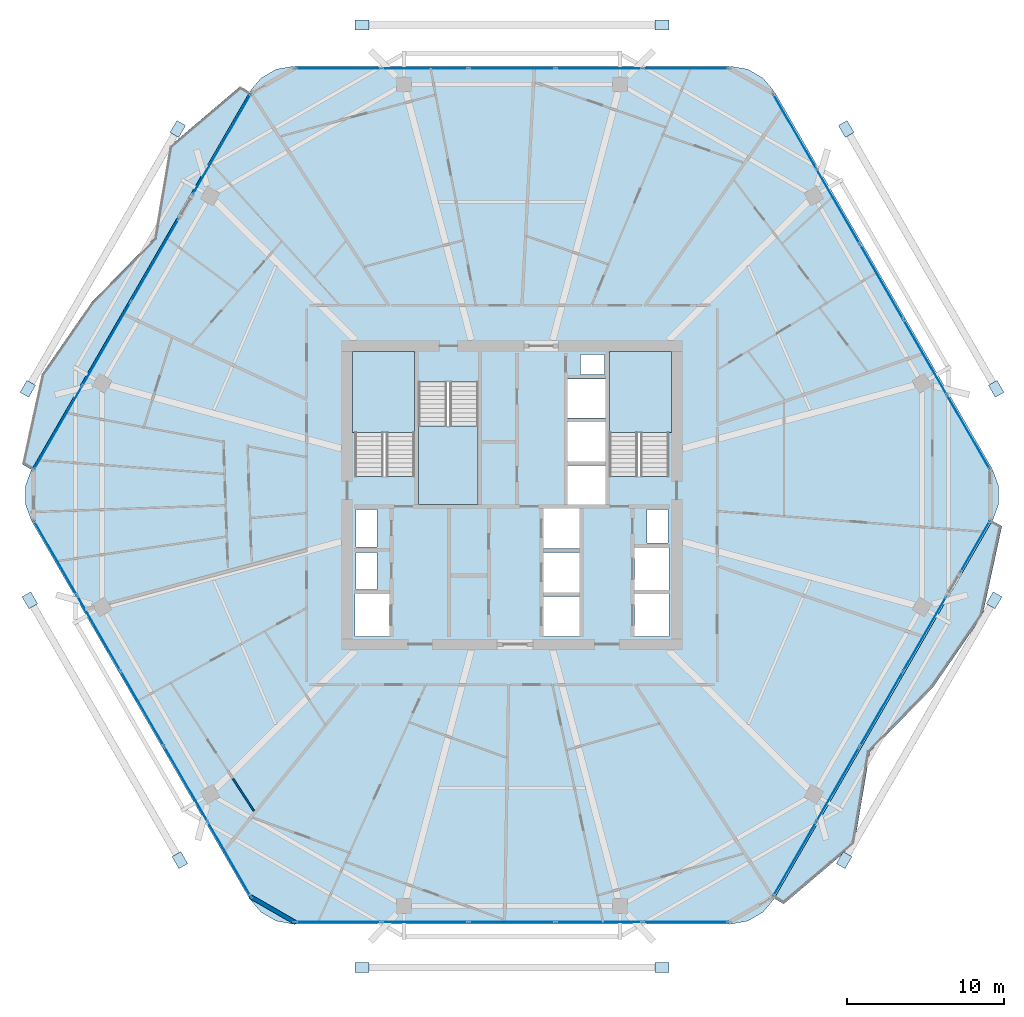
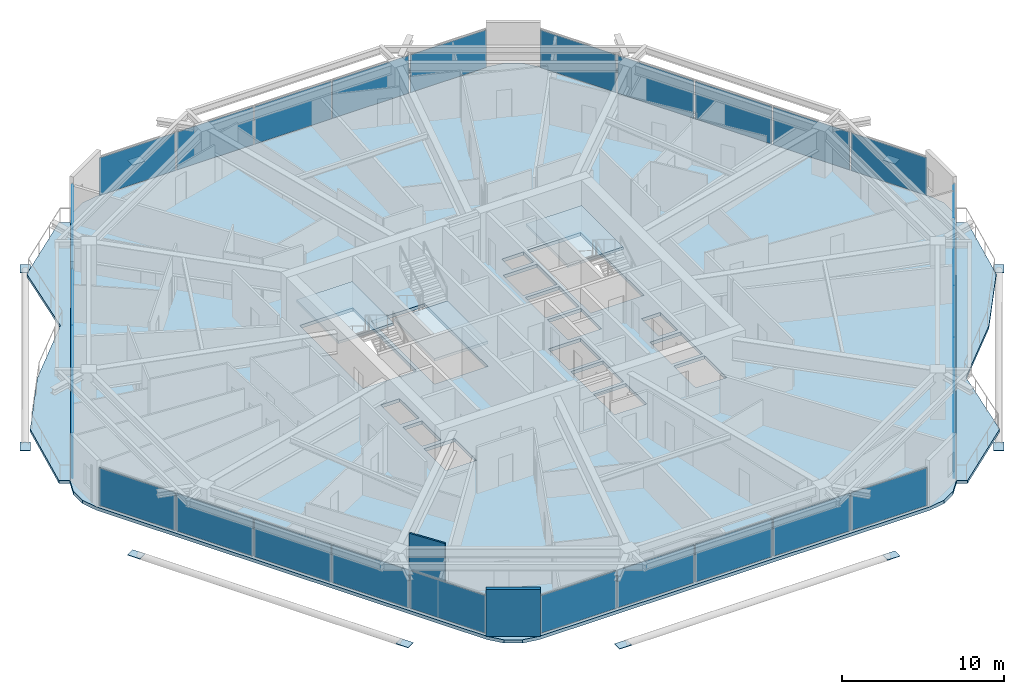
# One storey, part 19 of 28: 41 plates, 6 slabs, 2 walls, 11 elements without a shape of their own.
"""IFC4 building model written with IfcOpenShell, lengths in metres."""

from ifc_helpers import new_model, si_unit, direction, frame, frame_2d, origin, origin_2d, place, context, subcontext, project, spatial, polyline, rectangle, outline, extrude, material, layer, layer_set, type_object, element, aggregate, save


model = new_model("IFC4")

# Units and contexts
model_context = context("Model", 3, precision=1e-05, world=origin(), true_north=direction((0.0, 1.0)))
body_context = subcontext(model_context, "Body", "Model", "MODEL_VIEW")
ifc_project = project(units=[si_unit("LENGTHUNIT", "METRE"), si_unit("AREAUNIT", "SQUARE_METRE"), si_unit("VOLUMEUNIT", "CUBIC_METRE"), si_unit("PLANEANGLEUNIT", "RADIAN"), si_unit("MASSUNIT", "GRAM", prefix="KILO")], contexts=[model_context])

# Site, building, storey
site_placement = place(None, origin())
site = spatial("IfcSite", under=ifc_project, at=site_placement, CompositionType="ELEMENT")
building_placement = place(site_placement, origin())
building = spatial("IfcBuilding", under=site, at=building_placement, Name="Zuhravey Tower", CompositionType="ELEMENT")
storey_placement = place(building_placement, frame((0.0, 0.0, 222.60009765625)))
storey = spatial("IfcBuildingStorey", under=building, at=storey_placement, Name="L56", CompositionType="ELEMENT", Elevation=222.60009765625)

# Plates
ifc_material_1 = material(Name="Steel SM460", Category="steel")
ifc_layer_1 = layer(ifc_material_1, 0.035888671875)
ifc_layer_set_1 = layer_set([ifc_layer_1], Name="Steel SM460")
plate_type_1 = type_object("IfcPlateType", Name="Exoskeleton Zone 2 Node Plate ND2", PredefinedType="SHEET", material=ifc_layer_set_1)
for number, where, z_axis, x_axis, name in (
    (1, (66.8388671875, 38.771728515625, -0.48193359375), (0.0, 0.0, 1.0), (-0.5, 0.866025403784, 0.0), "L56 Exoskeleton Node Gusset L56-01"),
    (2, (57.283935546875, 55.3212890625, -0.48193359375), (0.0, 0.0, 1.0), (-0.5, 0.866025403784, 0.0), "L56 Exoskeleton Node Gusset L56-02"),
    (3, (45.554931640625, 61.943115234375, -0.48193359375), (0.0, 0.0, 1.0), (-1.0, 0.0, 0.0), "L56 Exoskeleton Node Gusset L56-03"),
    (4, (26.445068359375, 61.943115234375, -0.48193359375), (0.0, 0.0, 1.0), (-1.0, 0.0, 0.0), "L56 Exoskeleton Node Gusset L56-04"),
    (5, (14.716064453125, 55.3212890625, -0.48193359375), (0.0, 0.0, 1.0), (-0.5, -0.866025403784, 0.0), "L56 Exoskeleton Node Gusset L56-05"),
    (6, (5.1611328125, 38.771728515625, -0.48193359375), (0.0, 0.0, 1.0), (-0.5, -0.866025403784, 0.0), "L56 Exoskeleton Node Gusset L56-06"),
    (7, (5.291015625, 25.30322265625, -0.48193359375), (0.0, 0.0, 1.0), (0.5, -0.866025403784, 0.0), "L56 Exoskeleton Node Gusset L56-07"),
    (8, (14.845947265625, 8.753662109375, -0.48193359375), (0.0, 0.0, 1.0), (0.5, -0.866025403784, 0.0), "L56 Exoskeleton Node Gusset L56-08"),
    (9, (26.445068359375, 1.906982421875, -0.48193359375), (0.0, 0.0, 1.0), (1.0, 0.0, 0.0), "L56 Exoskeleton Node Gusset L56-09"),
    (10, (45.554931640625, 1.906982421875, -0.48193359375), (0.0, 0.0, 1.0), (1.0, 0.0, 0.0), "L56 Exoskeleton Node Gusset L56-10"),
    (11, (57.154052734375, 8.753662109375, -0.48193359375), (0.0, 0.0, 1.0), (0.5, 0.866025403784, 0.0), "L56 Exoskeleton Node Gusset L56-11"),
    (12, (66.708984375, 25.30322265625, -0.48193359375), (0.0, 0.0, 1.0), (0.5, 0.866025403784, 0.0), "L56 Exoskeleton Node Gusset L56-12"),
):
    element("IfcPlate", number, at=place(storey_placement, frame(where, z_axis=z_axis, x_axis=x_axis)), inside=storey, type_object=plate_type_1, Name=name, PredefinedType="SHEET", context=body_context, shape_type="SweptSolid", body=[
        extrude(rectangle(XDim=0.8798828125, YDim=0.639892578125, at=origin_2d()), origin(), (0.0, 0.0, 1.0), 0.035888671875),
    ])

# Slabs
ifc_material_2 = material(Name="Concrete C50/60", Category="concrete")
ifc_layer_2 = layer(ifc_material_2, 0.25)
ifc_layer_set_2 = layer_set([ifc_layer_2], Name="Concrete C50/60")
slab_type_1 = type_object("IfcSlabType", Name="Residential Acoustic Slab 250", PredefinedType="FLOOR", material=ifc_layer_set_2)
slab_1_placement = place(storey_placement, frame((0.0, 0.0, -0.25)))
element("IfcSlab", 13, at=slab_1_placement, inside=storey, type_object=slab_type_1, Name="L56 Floor Slab FS25", PredefinedType="FLOOR", context=body_context, shape_type="SweptSolid", body=[
    extrude(outline(polyline([(66.61181640625, 30.375), (66.997802734375, 31.435546875), (66.997802734375, 32.564453125), (66.61181640625, 33.625), (52.713134765625, 57.697998046875), (51.98779296875, 58.562744140625), (51.01025390625, 59.127197265625), (49.898681640625, 59.322998046875), (22.101318359375, 59.322998046875), (20.98974609375, 59.127197265625), (20.01220703125, 58.562744140625), (19.286865234375, 57.697998046875), (5.38818359375, 33.625), (5.002197265625, 32.564453125), (5.002197265625, 31.435546875), (5.38818359375, 30.375), (19.286865234375, 6.302001953125), (20.01220703125, 5.437255859375), (20.98974609375, 4.872802734375), (22.101318359375, 4.677001953125), (49.898681640625, 4.677001953125), (51.01025390625, 4.872802734375), (51.98779296875, 5.437255859375), (52.713134765625, 6.302001953125), (66.61181640625, 30.375)]), holes=[polyline([(29.800048828125, 33.20068359375), (29.800048828125, 41.0), (26.0, 41.0), (26.0, 33.20068359375), (29.800048828125, 33.20068359375)]), polyline([(46.0, 33.20068359375), (46.0, 41.0), (42.199951171875, 41.0), (42.199951171875, 33.20068359375), (46.0, 33.20068359375)]), polyline([(30.050048828125, 39.199462890625), (30.050048828125, 31.39990234375), (33.85009765625, 31.39990234375), (33.85009765625, 39.199462890625), (30.050048828125, 39.199462890625)]), polyline([(38.0, 23.0), (40.300048828125, 23.0), (40.300048828125, 25.550048828125), (38.0, 25.550048828125), (38.0, 23.0)]), polyline([(38.0, 25.800048828125), (40.300048828125, 25.800048828125), (40.300048828125, 28.35009765625), (38.0, 28.35009765625), (38.0, 25.800048828125)]), polyline([(38.0, 28.60009765625), (40.300048828125, 28.60009765625), (40.300048828125, 31.14990234375), (38.0, 31.14990234375), (38.0, 28.60009765625)]), polyline([(39.550048828125, 31.39990234375), (41.949951171875, 31.39990234375), (41.949951171875, 33.89990234375), (39.550048828125, 33.89990234375), (39.550048828125, 31.39990234375)]), polyline([(39.550048828125, 34.14990234375), (41.949951171875, 34.14990234375), (41.949951171875, 36.64990234375), (39.550048828125, 36.64990234375), (39.550048828125, 34.14990234375)]), polyline([(39.550048828125, 36.89990234375), (41.949951171875, 36.89990234375), (41.949951171875, 39.39990234375), (39.550048828125, 39.39990234375), (39.550048828125, 36.89990234375)]), polyline([(26.0, 23.0), (28.199951171875, 23.0), (28.199951171875, 25.699951171875), (26.0, 25.699951171875), (26.0, 23.0)]), polyline([(43.800048828125, 23.0), (46.0, 23.0), (46.0, 25.699951171875), (43.800048828125, 25.699951171875), (43.800048828125, 23.0)]), polyline([(43.800048828125, 25.949951171875), (46.0, 25.949951171875), (46.0, 28.64990234375), (43.800048828125, 28.64990234375), (43.800048828125, 25.949951171875)]), polyline([(26.050048828125, 26.0), (27.39990234375, 26.0), (27.39990234375, 28.35009765625), (26.050048828125, 28.35009765625), (26.050048828125, 26.0)]), polyline([(26.050048828125, 28.699951171875), (27.39990234375, 28.699951171875), (27.39990234375, 31.10009765625), (26.050048828125, 31.10009765625), (26.050048828125, 28.699951171875)]), polyline([(44.60009765625, 28.949951171875), (45.949951171875, 28.949951171875), (45.949951171875, 31.10009765625), (44.60009765625, 31.10009765625), (44.60009765625, 28.949951171875)]), polyline([(40.35009765625, 39.699951171875), (41.89990234375, 39.699951171875), (41.89990234375, 40.949951171875), (40.35009765625, 40.949951171875), (40.35009765625, 39.699951171875)])]), origin(), (0.0, 0.0, 1.0), 0.25),
])
ifc_material_3 = material(Name="Concrete C40/50", Category="concrete")
ifc_layer_3 = layer(ifc_material_3, 0.219970703125)
ifc_layer_set_3 = layer_set([ifc_layer_3], Name="Concrete C40/50")
slab_type_2 = type_object("IfcSlabType", Name="Sinusoidal Residential Wave Balcony 220", PredefinedType="FLOOR", material=ifc_layer_set_3)
slab_2_placement = place(storey_placement, frame((0.0, 0.0, -0.22021484375)))
element("IfcSlab", 14, at=slab_2_placement, inside=storey, type_object=slab_type_2, Name="L56 Face 3 Wave Balcony WB22", PredefinedType="FLOOR", context=body_context, shape_type="SweptSolid", body=[
    extrude(outline(polyline([(19.29541015625, 57.68310546875), (5.405517578125, 33.625), (4.79931640625, 33.97509765625), (6.03759765625, 39.675537109375), (9.206787109375, 44.26123046875), (13.210205078125, 48.365478515625), (14.19091796875, 54.214599609375), (18.689208984375, 58.033203125), (19.29541015625, 57.68310546875)])), origin(), (0.0, 0.0, 1.0), 0.22021484375),
])
slab_3_placement = place(storey_placement, frame((0.0, 0.0, -0.22021484375)))
element("IfcSlab", 15, at=slab_3_placement, inside=storey, type_object=slab_type_2, Name="L56 Face 6 Wave Balcony WB22", PredefinedType="FLOOR", context=body_context, shape_type="SweptSolid", body=[
    extrude(outline(polyline([(52.70458984375, 6.31689453125), (66.594482421875, 30.375), (67.20068359375, 30.02490234375), (65.96240234375, 24.324462890625), (62.793212890625, 19.73876953125), (58.789794921875, 15.634521484375), (57.80908203125, 9.785400390625), (53.310791015625, 5.966796875), (52.70458984375, 6.31689453125)])), origin(), (0.0, 0.0, 1.0), 0.22021484375),
])

# Stair, slab
stair_type = type_object("IfcStairType", Name="Housing Storey Stair Assembly 3800", PredefinedType="HALF_TURN_STAIR", material=ifc_material_3)
stair_1_placement = place(storey_placement, origin())
stair_1 = element("IfcStair", 16, at=stair_1_placement, inside=storey, type_object=stair_type, Name="L56 Core Exit Stair ST1", PredefinedType="HALF_TURN_STAIR")
ifc_layer_4 = layer(ifc_material_3, 0.199951171875)
ifc_layer_set_4 = layer_set([ifc_layer_4], Name="Concrete C40/50")
slab_type_3 = type_object("IfcSlabType", Name="Stair Landing Slab 200", PredefinedType="LANDING", material=ifc_layer_set_4)
slab_4_placement = place(storey_placement, frame((0.0, 0.0, 1.699951171875)))
slab_4 = element("IfcSlab", 17, at=slab_4_placement, type_object=slab_type_3, Name="ST1 landing 1", PredefinedType="LANDING", context=body_context, shape_type="SweptSolid", body=[
    extrude(outline(polyline([(29.800048828125, 36.0), (29.800048828125, 41.14794921875), (25.85205078125, 41.14794921875), (25.85205078125, 36.0), (29.800048828125, 36.0)])), origin(), (0.0, 0.0, 1.0), 0.199951171875),
])
aggregate(stair_1, [slab_4])

stair_2_placement = place(storey_placement, origin())
stair_2 = element("IfcStair", 18, at=stair_2_placement, inside=storey, type_object=stair_type, Name="L56 Core Exit Stair ST2", PredefinedType="HALF_TURN_STAIR")
slab_5_placement = place(storey_placement, frame((0.0, 0.0, 1.699951171875)))
slab_5 = element("IfcSlab", 19, at=slab_5_placement, type_object=slab_type_3, Name="ST2 landing 1", PredefinedType="LANDING", context=body_context, shape_type="SweptSolid", body=[
    extrude(outline(polyline([(46.14794921875, 36.0), (46.14794921875, 41.14794921875), (42.199951171875, 41.14794921875), (42.199951171875, 36.0), (46.14794921875, 36.0)])), origin(), (0.0, 0.0, 1.0), 0.199951171875),
])
aggregate(stair_2, [slab_5])

stair_3_placement = place(storey_placement, origin())
stair_3 = element("IfcStair", 20, at=stair_3_placement, inside=storey, type_object=stair_type, Name="L56 Core Exit Stair ST3", PredefinedType="HALF_TURN_STAIR")
slab_6_placement = place(storey_placement, frame((0.0, 0.0, 1.699951171875)))
slab_6 = element("IfcSlab", 21, at=slab_6_placement, type_object=slab_type_3, Name="ST3 landing 1", PredefinedType="LANDING", context=body_context, shape_type="SweptSolid", body=[
    extrude(outline(polyline([(30.050048828125, 36.39990234375), (30.050048828125, 31.39990234375), (33.85009765625, 31.39990234375), (33.85009765625, 36.39990234375), (30.050048828125, 36.39990234375)])), origin(), (0.0, 0.0, 1.0), 0.199951171875),
])
aggregate(stair_3, [slab_6])

# Curtain wall, plate
ifc_material_4 = material(Name="Thermally broken anodised aluminium", Category="aluminium")
curtain_wall_type = type_object("IfcCurtainWallType", Name="Zone 1-2 Residential Curtain Wall CW3", PredefinedType="NOTDEFINED", material=ifc_material_4)
curtain_wall_1_placement = place(storey_placement, origin())
curtain_wall_1 = element("IfcCurtainWall", 22, at=curtain_wall_1_placement, inside=storey, type_object=curtain_wall_type, Name="L56 CW3 CW-L56-F6-1", PredefinedType="NOTDEFINED")
ifc_material_5 = material(Name="Triple low-E insulated vision glass", Category="glass")
ifc_layer_5 = layer(ifc_material_5, 0.0419921875)
ifc_layer_set_5 = layer_set([ifc_layer_5], Name="Triple low-E insulated vision glass")
plate_type_2 = type_object("IfcPlateType", Name="Triple Low-E Vision Panel", PredefinedType="CURTAIN_PANEL", material=ifc_layer_set_5)
plate_1_placement = place(storey_placement, frame((65.500732421875, 28.730712890625, 0.08984375), z_axis=(0.0, 0.0, 1.0), x_axis=(-0.500012917899, -0.866017945504, 0.0)))
plate_1 = element("IfcPlate", 23, at=plate_1_placement, type_object=plate_type_2, Name="CW3 panel 1.1", PredefinedType="CURTAIN_PANEL", context=body_context, shape_type="SweptSolid", body=[
    extrude(rectangle(XDim=3.7041015625, YDim=0.0419921875, at=origin_2d()), origin(), (0.0, 0.0, 1.0), 2.840087890625),
])
aggregate(curtain_wall_1, [plate_1])

# Curtain wall, plates
curtain_wall_2_placement = place(storey_placement, origin())
curtain_wall_2 = element("IfcCurtainWall", 24, at=curtain_wall_2_placement, inside=storey, type_object=curtain_wall_type, Name="L56 CW3 CW-L56-F6-2", PredefinedType="NOTDEFINED")
plate_2_placement = place(storey_placement, frame((62.284912109375, 23.160400390625, 0.08984375), z_axis=(0.0, 0.0, 1.0), x_axis=(-0.499999420824, -0.866025738172, 0.0)))
plate_2 = element("IfcPlate", 25, at=plate_2_placement, type_object=plate_type_2, Name="CW3 panel 1.1", PredefinedType="CURTAIN_PANEL", context=body_context, shape_type="SweptSolid", body=[
    extrude(rectangle(XDim=5.3994140625, YDim=0.0419921875, at=origin_2d()), origin(), (0.0, 0.0, 1.0), 2.840087890625),
])
plate_3_placement = place(storey_placement, frame((59.52880859375, 18.386962890625, 0.08984375), z_axis=(0.0, 0.0, 1.0), x_axis=(-0.499999420824, -0.866025738172, 0.0)))
plate_3 = element("IfcPlate", 26, at=plate_3_placement, type_object=plate_type_2, Name="CW3 panel 2.1", PredefinedType="CURTAIN_PANEL", context=body_context, shape_type="SweptSolid", body=[
    extrude(rectangle(XDim=5.444580078125, YDim=0.0419921875, at=origin_2d()), origin(), (0.0, 0.0, 1.0), 2.840087890625),
])
plate_4_placement = place(storey_placement, frame((56.761474609375, 13.593994140625, 0.08984375), z_axis=(0.0, 0.0, 1.0), x_axis=(-0.499999420824, -0.866025738172, 0.0)))
plate_4 = element("IfcPlate", 27, at=plate_4_placement, type_object=plate_type_2, Name="CW3 panel 3.1", PredefinedType="CURTAIN_PANEL", context=body_context, shape_type="SweptSolid", body=[
    extrude(rectangle(XDim=5.444580078125, YDim=0.0419921875, at=origin_2d()), origin(), (0.0, 0.0, 1.0), 2.840087890625),
])
plate_5_placement = place(storey_placement, frame((54.005615234375, 8.8203125, 0.08984375), z_axis=(0.0, 0.0, 1.0), x_axis=(-0.499999420824, -0.866025738172, 0.0)))
plate_5 = element("IfcPlate", 28, at=plate_5_placement, type_object=plate_type_2, Name="CW3 panel 4.1", PredefinedType="CURTAIN_PANEL", context=body_context, shape_type="SweptSolid", body=[
    extrude(rectangle(XDim=5.3994140625, YDim=0.0419921875, at=origin_2d()), origin(), (0.0, 0.0, 1.0), 2.840087890625),
])
aggregate(curtain_wall_2, [plate_2, plate_3, plate_4, plate_5])

curtain_wall_3_placement = place(storey_placement, origin())
curtain_wall_3 = element("IfcCurtainWall", 29, at=curtain_wall_3_placement, inside=storey, type_object=curtain_wall_type, Name="L56 CW3 CW-L56-F5-1", PredefinedType="NOTDEFINED")
plate_6_placement = place(storey_placement, frame((47.06640625, 4.81689453125, 0.08984375), z_axis=(0.0, 0.0, 1.0), x_axis=(-1.0, 0.0, 0.0)))
plate_6 = element("IfcPlate", 30, at=plate_6_placement, type_object=plate_type_2, Name="CW3 panel 1.1", PredefinedType="CURTAIN_PANEL", context=body_context, shape_type="SweptSolid", body=[
    extrude(rectangle(XDim=5.409423828125, YDim=0.0419921875, at=origin_2d()), origin(), (0.0, 0.0, 1.0), 2.840087890625),
])
plate_7_placement = place(storey_placement, frame((41.54443359375, 4.81689453125, 0.08984375), z_axis=(0.0, 0.0, 1.0), x_axis=(-1.0, 0.0, 0.0)))
plate_7 = element("IfcPlate", 31, at=plate_7_placement, type_object=plate_type_2, Name="CW3 panel 2.1", PredefinedType="CURTAIN_PANEL", context=body_context, shape_type="SweptSolid", body=[
    extrude(rectangle(XDim=5.454345703125, YDim=0.0419921875, at=origin_2d()), origin(), (0.0, 0.0, 1.0), 2.840087890625),
])
plate_8_placement = place(storey_placement, frame((36.0, 4.81689453125, 0.08984375), z_axis=(0.0, 0.0, 1.0), x_axis=(-1.0, 0.0, 0.0)))
plate_8 = element("IfcPlate", 32, at=plate_8_placement, type_object=plate_type_2, Name="CW3 panel 3.1", PredefinedType="CURTAIN_PANEL", context=body_context, shape_type="SweptSolid", body=[
    extrude(rectangle(XDim=5.454345703125, YDim=0.0419921875, at=origin_2d()), origin(), (0.0, 0.0, 1.0), 2.840087890625),
])
plate_9_placement = place(storey_placement, frame((30.45556640625, 4.81689453125, 0.08984375), z_axis=(0.0, 0.0, 1.0), x_axis=(-1.0, 0.0, 0.0)))
plate_9 = element("IfcPlate", 33, at=plate_9_placement, type_object=plate_type_2, Name="CW3 panel 4.1", PredefinedType="CURTAIN_PANEL", context=body_context, shape_type="SweptSolid", body=[
    extrude(rectangle(XDim=5.454345703125, YDim=0.0419921875, at=origin_2d()), origin(), (0.0, 0.0, 1.0), 2.840087890625),
])
plate_10_placement = place(storey_placement, frame((24.93359375, 4.81689453125, 0.08984375), z_axis=(0.0, 0.0, 1.0), x_axis=(-1.0, 0.0, 0.0)))
plate_10 = element("IfcPlate", 34, at=plate_10_placement, type_object=plate_type_2, Name="CW3 panel 5.1", PredefinedType="CURTAIN_PANEL", context=body_context, shape_type="SweptSolid", body=[
    extrude(rectangle(XDim=5.409423828125, YDim=0.0419921875, at=origin_2d()), origin(), (0.0, 0.0, 1.0), 2.840087890625),
])
aggregate(curtain_wall_3, [plate_6, plate_7, plate_8, plate_9, plate_10])

curtain_wall_4_placement = place(storey_placement, origin())
curtain_wall_4 = element("IfcCurtainWall", 35, at=curtain_wall_4_placement, inside=storey, type_object=curtain_wall_type, Name="L56 CW3 CW-L56-F4-1", PredefinedType="NOTDEFINED")
plate_11_placement = place(storey_placement, frame((17.991943359375, 8.82470703125, 0.08984375), z_axis=(0.0, 0.0, 1.0), x_axis=(-0.500000459979, 0.866025138215, 0.0)))
plate_11 = element("IfcPlate", 36, at=plate_11_placement, type_object=plate_type_2, Name="CW3 panel 1.1", PredefinedType="CURTAIN_PANEL", context=body_context, shape_type="SweptSolid", body=[
    extrude(rectangle(XDim=5.409423828125, YDim=0.0419921875, at=origin_2d()), origin(), (0.0, 0.0, 1.0), 2.840087890625),
])
plate_12_placement = place(storey_placement, frame((15.23095703125, 13.60693359375, 0.08984375), z_axis=(0.0, 0.0, 1.0), x_axis=(-0.500000459979, 0.866025138215, 0.0)))
plate_12 = element("IfcPlate", 37, at=plate_12_placement, type_object=plate_type_2, Name="CW3 panel 2.1", PredefinedType="CURTAIN_PANEL", context=body_context, shape_type="SweptSolid", body=[
    extrude(rectangle(XDim=5.454345703125, YDim=0.0419921875, at=origin_2d()), origin(), (0.0, 0.0, 1.0), 2.840087890625),
])
plate_13_placement = place(storey_placement, frame((12.458740234375, 18.408447265625, 0.08984375), z_axis=(0.0, 0.0, 1.0), x_axis=(-0.500000459979, 0.866025138215, 0.0)))
plate_13 = element("IfcPlate", 38, at=plate_13_placement, type_object=plate_type_2, Name="CW3 panel 3.1", PredefinedType="CURTAIN_PANEL", context=body_context, shape_type="SweptSolid", body=[
    extrude(rectangle(XDim=5.454345703125, YDim=0.0419921875, at=origin_2d()), origin(), (0.0, 0.0, 1.0), 2.840087890625),
])
plate_14_placement = place(storey_placement, frame((9.6865234375, 23.2099609375, 0.08984375), z_axis=(0.0, 0.0, 1.0), x_axis=(-0.500000459979, 0.866025138215, 0.0)))
plate_14 = element("IfcPlate", 39, at=plate_14_placement, type_object=plate_type_2, Name="CW3 panel 4.1", PredefinedType="CURTAIN_PANEL", context=body_context, shape_type="SweptSolid", body=[
    extrude(rectangle(XDim=5.454345703125, YDim=0.0419921875, at=origin_2d()), origin(), (0.0, 0.0, 1.0), 2.840087890625),
])
plate_15_placement = place(storey_placement, frame((6.925537109375, 27.9921875, 0.08984375), z_axis=(0.0, 0.0, 1.0), x_axis=(-0.500000459979, 0.866025138215, 0.0)))
plate_15 = element("IfcPlate", 40, at=plate_15_placement, type_object=plate_type_2, Name="CW3 panel 5.1", PredefinedType="CURTAIN_PANEL", context=body_context, shape_type="SweptSolid", body=[
    extrude(rectangle(XDim=5.409423828125, YDim=0.0419921875, at=origin_2d()), origin(), (0.0, 0.0, 1.0), 2.840087890625),
])
aggregate(curtain_wall_4, [plate_11, plate_12, plate_13, plate_14, plate_15])

curtain_wall_5_placement = place(storey_placement, origin())
curtain_wall_5 = element("IfcCurtainWall", 41, at=curtain_wall_5_placement, inside=storey, type_object=curtain_wall_type, Name="L56 CW3 CW-L56-F3-1", PredefinedType="NOTDEFINED")
plate_16_placement = place(storey_placement, frame((7.0859375, 36.28564453125, 0.08984375), z_axis=(0.0, 0.0, 1.0), x_axis=(0.499999361815, 0.866025772241, 0.0)))
plate_16 = element("IfcPlate", 42, at=plate_16_placement, type_object=plate_type_2, Name="CW3 panel 1.1", PredefinedType="CURTAIN_PANEL", context=body_context, shape_type="SweptSolid", body=[
    extrude(rectangle(XDim=6.051025390625, YDim=0.0419921875, at=origin_2d()), origin(), (0.0, 0.0, 1.0), 2.840087890625),
])
plate_17_placement = place(storey_placement, frame((10.167724609375, 41.62353515625, 0.08984375), z_axis=(0.0, 0.0, 1.0), x_axis=(0.499999361815, 0.866025772241, 0.0)))
plate_17 = element("IfcPlate", 43, at=plate_17_placement, type_object=plate_type_2, Name="CW3 panel 2.1", PredefinedType="CURTAIN_PANEL", context=body_context, shape_type="SweptSolid", body=[
    extrude(rectangle(XDim=6.09619140625, YDim=0.0419921875, at=origin_2d()), origin(), (0.0, 0.0, 1.0), 2.840087890625),
])
plate_18_placement = place(storey_placement, frame((13.24951171875, 46.961181640625, 0.08984375), z_axis=(0.0, 0.0, 1.0), x_axis=(0.499999361815, 0.866025772241, 0.0)))
plate_18 = element("IfcPlate", 44, at=plate_18_placement, type_object=plate_type_2, Name="CW3 panel 3.1", PredefinedType="CURTAIN_PANEL", context=body_context, shape_type="SweptSolid", body=[
    extrude(rectangle(XDim=6.051025390625, YDim=0.0419921875, at=origin_2d()), origin(), (0.0, 0.0, 1.0), 2.840087890625),
])
aggregate(curtain_wall_5, [plate_16, plate_17, plate_18])

# Curtain wall, plate
curtain_wall_6_placement = place(storey_placement, origin())
curtain_wall_6 = element("IfcCurtainWall", 45, at=curtain_wall_6_placement, inside=storey, type_object=curtain_wall_type, Name="L56 CW3 CW-L56-F3-2", PredefinedType="NOTDEFINED")
plate_19_placement = place(storey_placement, frame((17.523193359375, 54.363525390625, 0.08984375), z_axis=(0.0, 0.0, 1.0), x_axis=(0.500000789788, 0.866024947799, 0.0)))
plate_19 = element("IfcPlate", 46, at=plate_19_placement, type_object=plate_type_2, Name="CW3 panel 1.1", PredefinedType="CURTAIN_PANEL", context=body_context, shape_type="SweptSolid", body=[
    extrude(rectangle(XDim=7.283935546875, YDim=0.0419921875, at=origin_2d()), origin(), (0.0, 0.0, 1.0), 2.840087890625),
])
aggregate(curtain_wall_6, [plate_19])

# Curtain wall, plates
curtain_wall_7_placement = place(storey_placement, origin())
curtain_wall_7 = element("IfcCurtainWall", 47, at=curtain_wall_7_placement, inside=storey, type_object=curtain_wall_type, Name="L56 CW3 CW-L56-F2-1", PredefinedType="NOTDEFINED")
plate_20_placement = place(storey_placement, frame((24.93359375, 59.18310546875, 0.08984375), z_axis=(0.0, 0.0, 1.0), x_axis=(1.0, 0.0, 0.0)))
plate_20 = element("IfcPlate", 48, at=plate_20_placement, type_object=plate_type_2, Name="CW3 panel 1.1", PredefinedType="CURTAIN_PANEL", context=body_context, shape_type="SweptSolid", body=[
    extrude(rectangle(XDim=5.409423828125, YDim=0.0419921875, at=origin_2d()), origin(), (0.0, 0.0, 1.0), 2.840087890625),
])
plate_21_placement = place(storey_placement, frame((30.45556640625, 59.18310546875, 0.08984375), z_axis=(0.0, 0.0, 1.0), x_axis=(1.0, 0.0, 0.0)))
plate_21 = element("IfcPlate", 49, at=plate_21_placement, type_object=plate_type_2, Name="CW3 panel 2.1", PredefinedType="CURTAIN_PANEL", context=body_context, shape_type="SweptSolid", body=[
    extrude(rectangle(XDim=5.454345703125, YDim=0.0419921875, at=origin_2d()), origin(), (0.0, 0.0, 1.0), 2.840087890625),
])
plate_22_placement = place(storey_placement, frame((36.0, 59.18310546875, 0.08984375), z_axis=(0.0, 0.0, 1.0), x_axis=(1.0, 0.0, 0.0)))
plate_22 = element("IfcPlate", 50, at=plate_22_placement, type_object=plate_type_2, Name="CW3 panel 3.1", PredefinedType="CURTAIN_PANEL", context=body_context, shape_type="SweptSolid", body=[
    extrude(rectangle(XDim=5.454345703125, YDim=0.0419921875, at=origin_2d()), origin(), (0.0, 0.0, 1.0), 2.840087890625),
])
plate_23_placement = place(storey_placement, frame((41.54443359375, 59.18310546875, 0.08984375), z_axis=(0.0, 0.0, 1.0), x_axis=(1.0, 0.0, 0.0)))
plate_23 = element("IfcPlate", 51, at=plate_23_placement, type_object=plate_type_2, Name="CW3 panel 4.1", PredefinedType="CURTAIN_PANEL", context=body_context, shape_type="SweptSolid", body=[
    extrude(rectangle(XDim=5.454345703125, YDim=0.0419921875, at=origin_2d()), origin(), (0.0, 0.0, 1.0), 2.840087890625),
])
plate_24_placement = place(storey_placement, frame((47.06640625, 59.18310546875, 0.08984375), z_axis=(0.0, 0.0, 1.0), x_axis=(1.0, 0.0, 0.0)))
plate_24 = element("IfcPlate", 52, at=plate_24_placement, type_object=plate_type_2, Name="CW3 panel 5.1", PredefinedType="CURTAIN_PANEL", context=body_context, shape_type="SweptSolid", body=[
    extrude(rectangle(XDim=5.409423828125, YDim=0.0419921875, at=origin_2d()), origin(), (0.0, 0.0, 1.0), 2.840087890625),
])
aggregate(curtain_wall_7, [plate_20, plate_21, plate_22, plate_23, plate_24])

curtain_wall_8_placement = place(storey_placement, origin())
curtain_wall_8 = element("IfcCurtainWall", 53, at=curtain_wall_8_placement, inside=storey, type_object=curtain_wall_type, Name="L56 CW3 CW-L56-F1-1", PredefinedType="NOTDEFINED")
plate_25_placement = place(storey_placement, frame((54.008056640625, 55.17529296875, 0.08984375), z_axis=(0.0, 0.0, 1.0), x_axis=(0.500000459979, -0.866025138215, 0.0)))
plate_25 = element("IfcPlate", 54, at=plate_25_placement, type_object=plate_type_2, Name="CW3 panel 1.1", PredefinedType="CURTAIN_PANEL", context=body_context, shape_type="SweptSolid", body=[
    extrude(rectangle(XDim=5.409423828125, YDim=0.0419921875, at=origin_2d()), origin(), (0.0, 0.0, 1.0), 2.840087890625),
])
plate_26_placement = place(storey_placement, frame((56.76904296875, 50.39306640625, 0.08984375), z_axis=(0.0, 0.0, 1.0), x_axis=(0.500000459979, -0.866025138215, 0.0)))
plate_26 = element("IfcPlate", 55, at=plate_26_placement, type_object=plate_type_2, Name="CW3 panel 2.1", PredefinedType="CURTAIN_PANEL", context=body_context, shape_type="SweptSolid", body=[
    extrude(rectangle(XDim=5.454345703125, YDim=0.0419921875, at=origin_2d()), origin(), (0.0, 0.0, 1.0), 2.840087890625),
])
plate_27_placement = place(storey_placement, frame((59.541259765625, 45.591552734375, 0.08984375), z_axis=(0.0, 0.0, 1.0), x_axis=(0.500000459979, -0.866025138215, 0.0)))
plate_27 = element("IfcPlate", 56, at=plate_27_placement, type_object=plate_type_2, Name="CW3 panel 3.1", PredefinedType="CURTAIN_PANEL", context=body_context, shape_type="SweptSolid", body=[
    extrude(rectangle(XDim=5.454345703125, YDim=0.0419921875, at=origin_2d()), origin(), (0.0, 0.0, 1.0), 2.840087890625),
])
plate_28_placement = place(storey_placement, frame((62.3134765625, 40.7900390625, 0.08984375), z_axis=(0.0, 0.0, 1.0), x_axis=(0.500000459979, -0.866025138215, 0.0)))
plate_28 = element("IfcPlate", 57, at=plate_28_placement, type_object=plate_type_2, Name="CW3 panel 4.1", PredefinedType="CURTAIN_PANEL", context=body_context, shape_type="SweptSolid", body=[
    extrude(rectangle(XDim=5.454345703125, YDim=0.0419921875, at=origin_2d()), origin(), (0.0, 0.0, 1.0), 2.840087890625),
])
plate_29_placement = place(storey_placement, frame((65.074462890625, 36.0078125, 0.08984375), z_axis=(0.0, 0.0, 1.0), x_axis=(0.500000459979, -0.866025138215, 0.0)))
plate_29 = element("IfcPlate", 58, at=plate_29_placement, type_object=plate_type_2, Name="CW3 panel 5.1", PredefinedType="CURTAIN_PANEL", context=body_context, shape_type="SweptSolid", body=[
    extrude(rectangle(XDim=5.409423828125, YDim=0.0419921875, at=origin_2d()), origin(), (0.0, 0.0, 1.0), 2.840087890625),
])
aggregate(curtain_wall_8, [plate_25, plate_26, plate_27, plate_28, plate_29])

# Walls
ifc_material_6 = material(Name="Precast concrete C40/50", Category="concrete")
ifc_layer_6 = layer(ifc_material_6, 0.280029296875)
ifc_layer_set_6 = layer_set([ifc_layer_6], Name="Precast concrete C40/50")
wall_type_1 = type_object("IfcWallType", Name="Crown Architectural Wall 280", PredefinedType="SOLIDWALL", material=ifc_layer_set_6)
wall_1_placement = place(storey_placement, frame((22.22119140625, 4.769287109375, 0.0), z_axis=(0.0, 0.0, 1.0), x_axis=(-0.866020068361, 0.500009241111, 0.0)))
element("IfcWall", 59, at=wall_1_placement, inside=storey, type_object=wall_type_1, Name="L56 Rounded Corner Closure Wall EW28-04", PredefinedType="SOLIDWALL", context=body_context, shape_type="SweptSolid", body=[
    extrude(rectangle(XDim=3.365234375, YDim=0.280029296875, at=frame_2d((1.6826171875, 0.0))), origin(), (0.0, 0.0, 1.0), 3.52001953125),
])
ifc_material_7 = material(Name="Gypsum metal-stud partition")
ifc_layer_7 = layer(ifc_material_7, 0.1201171875)
ifc_layer_set_7 = layer_set([ifc_layer_7], Name="Gypsum metal-stud partition")
wall_type_2 = type_object("IfcWallType", Name="Unit Internal Partition 120", PredefinedType="PARTITIONING", material=ifc_layer_set_7)
wall_2_placement = place(storey_placement, frame((18.214599609375, 13.9619140625, 0.0), z_axis=(0.0, 0.0, 1.0), x_axis=(0.544622639166, -0.838681215306, 0.0)))
element("IfcWall", 60, at=wall_2_placement, inside=storey, type_object=wall_type_2, Name="L56 IW12 Partition 113", PredefinedType="PARTITIONING", context=body_context, shape_type="SweptSolid", body=[
    extrude(rectangle(XDim=2.464111328125, YDim=0.1201171875, at=frame_2d((1.23193359375, 0.0))), origin(), (0.0, 0.0, 1.0), 3.52001953125),
])

save(model, "model.ifc")
